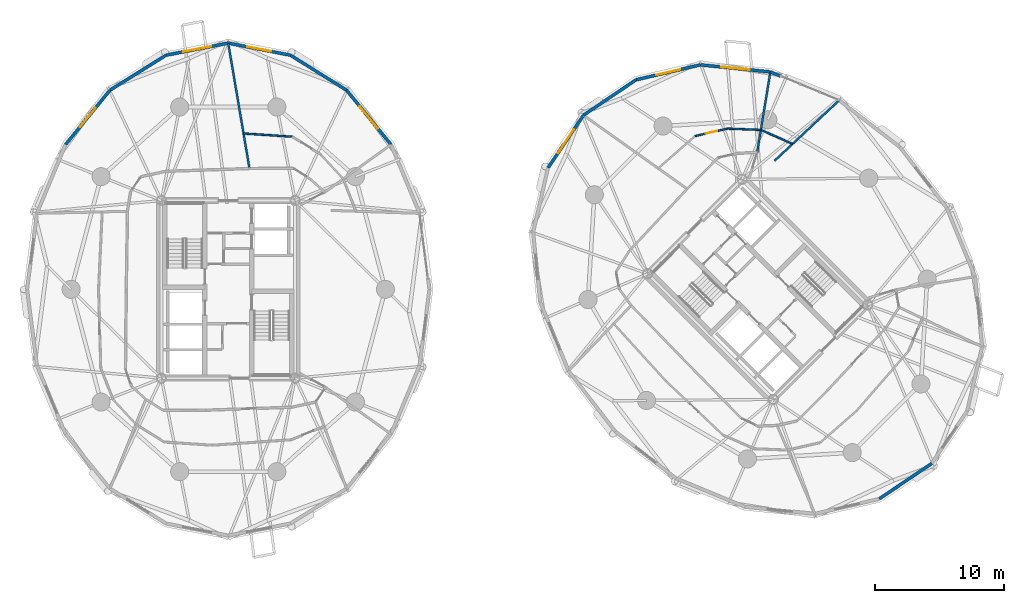
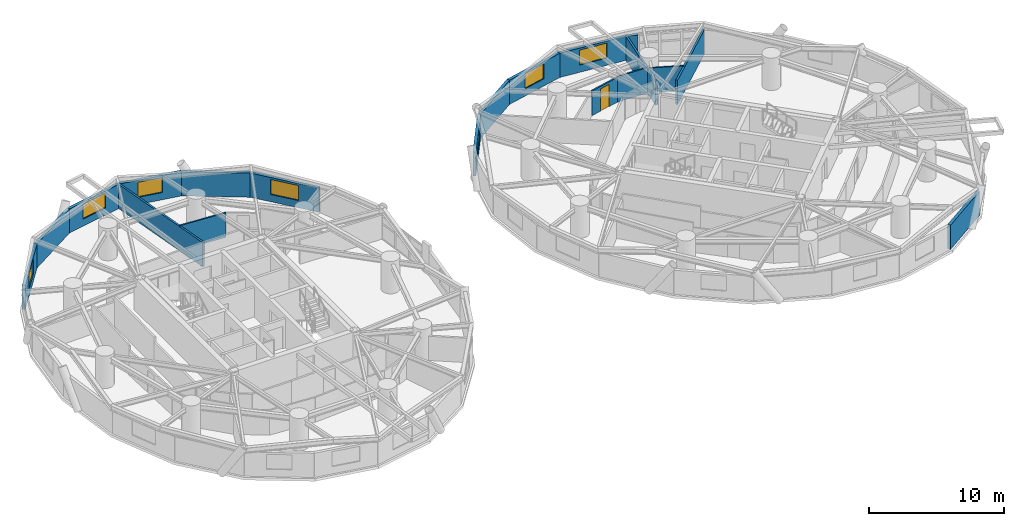
# One storey, part 14 of 17: 19 walls, 7 windows, 1 door, 8 openings.
"""IFC4 building model written with IfcOpenShell, lengths in metres."""

from ifc_helpers import new_model, si_unit, direction, frame, frame_2d, origin, place, context, subcontext, project, spatial, rectangle, extrude, source, transform, mapped, material, layer, layer_set, type_object, element, fill, save


model = new_model("IFC4")

# Units and contexts
model_context = context("Model", 3, precision=1e-05, world=origin(), true_north=direction((0.0, 1.0)))
body_context = subcontext(model_context, "Body", "Model", "MODEL_VIEW")
ifc_project = project(units=[si_unit("LENGTHUNIT", "METRE"), si_unit("AREAUNIT", "SQUARE_METRE"), si_unit("VOLUMEUNIT", "CUBIC_METRE"), si_unit("PLANEANGLEUNIT", "RADIAN"), si_unit("MASSUNIT", "GRAM", prefix="KILO")], contexts=[model_context])

# Site, building, storey
site_placement = place(None, origin())
site = spatial("IfcSite", under=ifc_project, at=site_placement, CompositionType="ELEMENT")
building_placement = place(site_placement, origin())
building = spatial("IfcBuilding", under=site, at=building_placement, Name="Cununo Teusaquillo Station Towers", CompositionType="ELEMENT")
storey_placement = place(building_placement, frame((0.0, 0.0, 107.97998046875)))
storey = spatial("IfcBuildingStorey", under=building, at=storey_placement, Name="L34", CompositionType="ELEMENT", Elevation=107.97998046875)

# Wall, opening, window
ifc_material_1 = material(Name="Precast concrete C40/50", Category="concrete")
ifc_layer_1 = layer(ifc_material_1, 0.239990234375)
ifc_layer_set_1 = layer_set([ifc_layer_1], Name="Precast concrete C40/50")
wall_type_1 = type_object("IfcWallType", Name="WL-EXT-240", PredefinedType="SOLIDWALL", material=ifc_layer_set_1)
wall_1_placement = place(storey_placement, frame((25.658203125, 39.927978515625, 0.0), z_axis=(0.0, 0.0, 1.0), x_axis=(0.632700781152, -0.77439635945, 0.0)))
wall_1 = element("IfcWall", 1, at=wall_1_placement, inside=storey, type_object=wall_type_1, Name="L34 Tower A Exterior Facade Wall C02", PredefinedType="SOLIDWALL", context=body_context, shape_type="SweptSolid", body=[
    extrude(rectangle(XDim=5.447998046875, YDim=0.239990234375, at=frame_2d((2.72412109375, 0.0))), origin(), (0.0, 0.0, 1.0), 2.178955078125),
])
shared_shape_1 = source(origin(), body_context, "Body", "SweptSolid", [
    extrude(rectangle(XDim=2.199951171875, YDim=1.35009765625, at=frame_2d((1.10009765625, 0.675048828125))), frame((0.0, 0.1298828125, 0.0), z_axis=(0.0, -1.0, 0.0), x_axis=(1.0, 0.0, 0.0)), (0.0, 0.0, 1.0), 0.260009765625),
])
opening_1_placement = place(wall_1_placement, frame((1.6240234375, 0.0, 0.64990234375)))
opening_1 = element("IfcOpeningElement", 2, at=opening_1_placement, cuts=wall_1, Name="Opening WN-01", PredefinedType="OPENING", context=body_context, shape_type="MappedRepresentation", body=[
    mapped(shared_shape_1, transform((0.0, 0.0, 0.0), x_axis=(1.0, 0.0, 0.0), y_axis=(0.0, 1.0, 0.0), z_axis=(0.0, 0.0, 1.0), scale=1.0)),
])
ifc_material_2 = material(Name="Ceramic-fritted dark low-E double glazing", Category="glass")
window_type_1 = type_object("IfcWindowType", Name="WIN-FRIT-2200", PartitioningType="DOUBLE_PANEL_VERTICAL", PredefinedType="WINDOW", material=ifc_material_2)
shared_shape_2 = source(origin(), body_context, "Body", "SweptSolid", [
    extrude(rectangle(XDim=2.199951171875, YDim=1.35009765625, at=frame_2d((1.10009765625, 0.675048828125))), frame((0.0, 0.030029296875, 0.0), z_axis=(0.0, -1.0, 0.0), x_axis=(1.0, 0.0, 0.0)), (0.0, 0.0, 1.0), 0.06005859375),
])
window_1_placement = place(opening_1_placement, origin())
window_1 = element("IfcWindow", 3, at=window_1_placement, inside=storey, type_object=window_type_1, Name="L34 Tower A Facade Window C02", OverallHeight=1.35009765625, OverallWidth=2.199951171875, PartitioningType="DOUBLE_PANEL_VERTICAL", PredefinedType="WINDOW", context=body_context, shape_type="MappedRepresentation", body=[
    mapped(shared_shape_2, transform((0.0, 0.0, 0.0), x_axis=(1.0, 0.0, 0.0), y_axis=(0.0, 1.0, 0.0), z_axis=(0.0, 0.0, 1.0), scale=1.0)),
])
fill(opening_1, window_1)

# Wall
wall_2_placement = place(storey_placement, frame((21.314697265625, 42.63671875, 0.0), z_axis=(0.0, 0.0, 1.0), x_axis=(0.848520380187, -0.529162701263, 0.0)))
element("IfcWall", 4, at=wall_2_placement, inside=storey, type_object=wall_type_1, Name="L34 Tower A Exterior Facade Wall C03", PredefinedType="SOLIDWALL", context=body_context, shape_type="SweptSolid", body=[
    extrude(rectangle(XDim=5.118896484375, YDim=0.239990234375, at=frame_2d((2.5595703125, 0.0))), origin(), (0.0, 0.0, 1.0), 2.178955078125),
])

# Wall, opening, window
wall_3_placement = place(storey_placement, frame((16.5, 43.570068359375, 0.0), z_axis=(0.0, 0.0, 1.0), x_axis=(0.981723785992, -0.190311344954, 0.0)))
wall_3 = element("IfcWall", 5, at=wall_3_placement, inside=storey, type_object=wall_type_1, Name="L34 Tower A Exterior Facade Wall C04", PredefinedType="SOLIDWALL", context=body_context, shape_type="SweptSolid", body=[
    extrude(rectangle(XDim=4.904296875, YDim=0.239990234375, at=frame_2d((2.4521484375, 0.0))), origin(), (0.0, 0.0, 1.0), 2.178955078125),
])
shared_shape_3 = source(origin(), body_context, "Body", "SweptSolid", [
    extrude(rectangle(XDim=1.89990234375, YDim=1.35009765625, at=frame_2d((0.949951171875, 0.675048828125))), frame((0.0, 0.1298828125, 0.0), z_axis=(0.0, -1.0, 0.0), x_axis=(1.0, 0.0, 0.0)), (0.0, 0.0, 1.0), 0.260009765625),
])
opening_2_placement = place(wall_3_placement, frame((1.501953125, 0.0, 0.64990234375)))
opening_2 = element("IfcOpeningElement", 6, at=opening_2_placement, cuts=wall_3, Name="Opening WN-02", PredefinedType="OPENING", context=body_context, shape_type="MappedRepresentation", body=[
    mapped(shared_shape_3, transform((0.0, 0.0, 0.0), x_axis=(1.0, 0.0, 0.0), y_axis=(0.0, 1.0, 0.0), z_axis=(0.0, 0.0, 1.0), scale=1.0)),
])
ifc_material_3 = material(Name="Operable acoustic tinted low-E double glazing", Category="glass")
window_type_2 = type_object("IfcWindowType", Name="WIN-OPER-1900", PartitioningType="DOUBLE_PANEL_VERTICAL", PredefinedType="WINDOW", material=ifc_material_3)
shared_shape_4 = source(origin(), body_context, "Body", "SweptSolid", [
    extrude(rectangle(XDim=1.89990234375, YDim=1.35009765625, at=frame_2d((0.949951171875, 0.675048828125))), frame((0.0, 0.030029296875, 0.0), z_axis=(0.0, -1.0, 0.0), x_axis=(1.0, 0.0, 0.0)), (0.0, 0.0, 1.0), 0.06005859375),
])
window_2_placement = place(opening_2_placement, origin())
window_2 = element("IfcWindow", 7, at=window_2_placement, inside=storey, type_object=window_type_2, Name="L34 Tower A Facade Window C04", OverallHeight=1.35009765625, OverallWidth=1.89990234375, PartitioningType="DOUBLE_PANEL_VERTICAL", PredefinedType="WINDOW", context=body_context, shape_type="MappedRepresentation", body=[
    mapped(shared_shape_4, transform((0.0, 0.0, 0.0), x_axis=(1.0, 0.0, 0.0), y_axis=(0.0, 1.0, 0.0), z_axis=(0.0, 0.0, 1.0), scale=1.0)),
])
fill(opening_2, window_2)

wall_4_placement = place(storey_placement, frame((11.685302734375, 42.63671875, 0.0), z_axis=(0.0, 0.0, 1.0), x_axis=(0.981723785992, 0.190311344954, 0.0)))
wall_4 = element("IfcWall", 8, at=wall_4_placement, inside=storey, type_object=wall_type_1, Name="L34 Tower A Exterior Facade Wall C05", PredefinedType="SOLIDWALL", context=body_context, shape_type="SweptSolid", body=[
    extrude(rectangle(XDim=4.904296875, YDim=0.239990234375, at=frame_2d((2.4521484375, 0.0))), origin(), (0.0, 0.0, 1.0), 2.178955078125),
])
opening_3_placement = place(wall_4_placement, frame((1.35205078125, 0.0, 0.64990234375)))
opening_3 = element("IfcOpeningElement", 9, at=opening_3_placement, cuts=wall_4, Name="Opening WN-01", PredefinedType="OPENING", context=body_context, shape_type="MappedRepresentation", body=[
    mapped(shared_shape_1, transform((0.0, 0.0, 0.0), x_axis=(1.0, 0.0, 0.0), y_axis=(0.0, 1.0, 0.0), z_axis=(0.0, 0.0, 1.0), scale=1.0)),
])
window_3_placement = place(opening_3_placement, origin())
window_3 = element("IfcWindow", 10, at=window_3_placement, inside=storey, type_object=window_type_1, Name="L34 Tower A Facade Window C05", OverallHeight=1.35009765625, OverallWidth=2.199951171875, PartitioningType="DOUBLE_PANEL_VERTICAL", PredefinedType="WINDOW", context=body_context, shape_type="MappedRepresentation", body=[
    mapped(shared_shape_2, transform((0.0, 0.0, 0.0), x_axis=(1.0, 0.0, 0.0), y_axis=(0.0, 1.0, 0.0), z_axis=(0.0, 0.0, 1.0), scale=1.0)),
])
fill(opening_3, window_3)

# Wall
wall_5_placement = place(storey_placement, frame((7.341796875, 39.927978515625, 0.0), z_axis=(0.0, 0.0, 1.0), x_axis=(0.848520380187, 0.529162701263, 0.0)))
element("IfcWall", 11, at=wall_5_placement, inside=storey, type_object=wall_type_1, Name="L34 Tower A Exterior Facade Wall C06", PredefinedType="SOLIDWALL", context=body_context, shape_type="SweptSolid", body=[
    extrude(rectangle(XDim=5.118896484375, YDim=0.239990234375, at=frame_2d((2.5595703125, 0.0))), origin(), (0.0, 0.0, 1.0), 2.178955078125),
])

# Wall, opening, window
wall_6_placement = place(storey_placement, frame((3.894775390625, 35.708984375, 0.0), z_axis=(0.0, 0.0, 1.0), x_axis=(0.632700781152, 0.77439635945, 0.0)))
wall_6 = element("IfcWall", 12, at=wall_6_placement, inside=storey, type_object=wall_type_1, Name="L34 Tower A Exterior Facade Wall C07", PredefinedType="SOLIDWALL", context=body_context, shape_type="SweptSolid", body=[
    extrude(rectangle(XDim=5.447998046875, YDim=0.239990234375, at=frame_2d((2.72412109375, 0.0))), origin(), (0.0, 0.0, 1.0), 2.178955078125),
])
opening_4_placement = place(wall_6_placement, frame((1.77392578125, 0.0, 0.64990234375)))
opening_4 = element("IfcOpeningElement", 13, at=opening_4_placement, cuts=wall_6, Name="Opening WN-02", PredefinedType="OPENING", context=body_context, shape_type="MappedRepresentation", body=[
    mapped(shared_shape_3, transform((0.0, 0.0, 0.0), x_axis=(1.0, 0.0, 0.0), y_axis=(0.0, 1.0, 0.0), z_axis=(0.0, 0.0, 1.0), scale=1.0)),
])
window_4_placement = place(opening_4_placement, origin())
window_4 = element("IfcWindow", 14, at=window_4_placement, inside=storey, type_object=window_type_2, Name="L34 Tower A Facade Window C07", OverallHeight=1.35009765625, OverallWidth=1.89990234375, PartitioningType="DOUBLE_PANEL_VERTICAL", PredefinedType="WINDOW", context=body_context, shape_type="MappedRepresentation", body=[
    mapped(shared_shape_4, transform((0.0, 0.0, 0.0), x_axis=(1.0, 0.0, 0.0), y_axis=(0.0, 1.0, 0.0), z_axis=(0.0, 0.0, 1.0), scale=1.0)),
])
fill(opening_4, window_4)

# Wall
wall_7_placement = place(storey_placement, frame((58.4873046875, 41.33935546875, 0.0), z_axis=(0.0, 0.0, 1.0), x_axis=(0.924556017656, -0.381046152345, 0.0)))
element("IfcWall", 15, at=wall_7_placement, inside=storey, type_object=wall_type_1, Name="L34 Tower B Column Pier Cladding Wall C01-PA", PredefinedType="SOLIDWALL", context=body_context, shape_type="SweptSolid", body=[
    extrude(rectangle(XDim=0.8701171875, YDim=0.239990234375, at=frame_2d((0.43505859375, 0.0))), origin(), (0.0, 0.0, 1.0), 2.178955078125),
])

# Wall, opening, window
wall_8_placement = place(storey_placement, frame((53.066650390625, 41.885009765625, 0.0), z_axis=(0.0, 0.0, 1.0), x_axis=(0.994971754311, -0.10015591906, 0.0)))
wall_8 = element("IfcWall", 16, at=wall_8_placement, inside=storey, type_object=wall_type_1, Name="L34 Tower B Exterior Facade Wall C02", PredefinedType="SOLIDWALL", context=body_context, shape_type="SweptSolid", body=[
    extrude(rectangle(XDim=5.447998046875, YDim=0.239990234375, at=frame_2d((2.72412109375, 0.0))), origin(), (0.0, 0.0, 1.0), 2.178955078125),
])
opening_5_placement = place(wall_8_placement, frame((1.6240234375, 0.0, 0.64990234375)))
opening_5 = element("IfcOpeningElement", 17, at=opening_5_placement, cuts=wall_8, Name="Opening WN-01", PredefinedType="OPENING", context=body_context, shape_type="MappedRepresentation", body=[
    mapped(shared_shape_1, transform((0.0, 0.0, 0.0), x_axis=(1.0, 0.0, 0.0), y_axis=(0.0, 1.0, 0.0), z_axis=(0.0, 0.0, 1.0), scale=1.0)),
])
window_5_placement = place(opening_5_placement, origin())
window_5 = element("IfcWindow", 18, at=window_5_placement, inside=storey, type_object=window_type_1, Name="L34 Tower B Facade Window C02", OverallHeight=1.35009765625, OverallWidth=2.199951171875, PartitioningType="DOUBLE_PANEL_VERTICAL", PredefinedType="WINDOW", context=body_context, shape_type="MappedRepresentation", body=[
    mapped(shared_shape_2, transform((0.0, 0.0, 0.0), x_axis=(1.0, 0.0, 0.0), y_axis=(0.0, 1.0, 0.0), z_axis=(0.0, 0.0, 1.0), scale=1.0)),
])
fill(opening_5, window_5)

wall_9_placement = place(storey_placement, frame((48.080078125, 40.72900390625, 0.0), z_axis=(0.0, 0.0, 1.0), x_axis=(0.974165631126, 0.225834725257, 0.0)))
wall_9 = element("IfcWall", 19, at=wall_9_placement, inside=storey, type_object=wall_type_1, Name="L34 Tower B Exterior Facade Wall C03", PredefinedType="SOLIDWALL", context=body_context, shape_type="SweptSolid", body=[
    extrude(rectangle(XDim=5.118896484375, YDim=0.239990234375, at=frame_2d((2.5595703125, 0.0))), origin(), (0.0, 0.0, 1.0), 2.178955078125),
])
opening_6_placement = place(wall_9_placement, frame((1.60888671875, 0.0, 0.64990234375)))
opening_6 = element("IfcOpeningElement", 20, at=opening_6_placement, cuts=wall_9, Name="Opening WN-02", PredefinedType="OPENING", context=body_context, shape_type="MappedRepresentation", body=[
    mapped(shared_shape_3, transform((0.0, 0.0, 0.0), x_axis=(1.0, 0.0, 0.0), y_axis=(0.0, 1.0, 0.0), z_axis=(0.0, 0.0, 1.0), scale=1.0)),
])
window_6_placement = place(opening_6_placement, origin())
window_6 = element("IfcWindow", 21, at=window_6_placement, inside=storey, type_object=window_type_2, Name="L34 Tower B Facade Window C03", OverallHeight=1.35009765625, OverallWidth=1.89990234375, PartitioningType="DOUBLE_PANEL_VERTICAL", PredefinedType="WINDOW", context=body_context, shape_type="MappedRepresentation", body=[
    mapped(shared_shape_4, transform((0.0, 0.0, 0.0), x_axis=(1.0, 0.0, 0.0), y_axis=(0.0, 1.0, 0.0), z_axis=(0.0, 0.0, 1.0), scale=1.0)),
])
fill(opening_6, window_6)

# Wall
wall_10_placement = place(storey_placement, frame((44.015380859375, 37.984619140625, 0.0), z_axis=(0.0, 0.0, 1.0), x_axis=(0.828781148131, 0.559572880421, 0.0)))
element("IfcWall", 22, at=wall_10_placement, inside=storey, type_object=wall_type_1, Name="L34 Tower B Exterior Facade Wall C04", PredefinedType="SOLIDWALL", context=body_context, shape_type="SweptSolid", body=[
    extrude(rectangle(XDim=4.904541015625, YDim=0.239990234375, at=frame_2d((2.4521484375, 0.0))), origin(), (0.0, 0.0, 1.0), 2.178955078125),
])

# Wall, opening, window
wall_11_placement = place(storey_placement, frame((41.27099609375, 33.919921875, 0.0), z_axis=(0.0, 0.0, 1.0), x_axis=(0.559572880421, 0.828781148131, 0.0)))
wall_11 = element("IfcWall", 23, at=wall_11_placement, inside=storey, type_object=wall_type_1, Name="L34 Tower B Exterior Facade Wall C05", PredefinedType="SOLIDWALL", context=body_context, shape_type="SweptSolid", body=[
    extrude(rectangle(XDim=4.904541015625, YDim=0.239990234375, at=frame_2d((2.4521484375, 0.0))), origin(), (0.0, 0.0, 1.0), 2.178955078125),
])
opening_7_placement = place(wall_11_placement, frame((1.35205078125, 0.0, 0.64990234375)))
opening_7 = element("IfcOpeningElement", 24, at=opening_7_placement, cuts=wall_11, Name="Opening WN-01", PredefinedType="OPENING", context=body_context, shape_type="MappedRepresentation", body=[
    mapped(shared_shape_1, transform((0.0, 0.0, 0.0), x_axis=(1.0, 0.0, 0.0), y_axis=(0.0, 1.0, 0.0), z_axis=(0.0, 0.0, 1.0), scale=1.0)),
])
window_7_placement = place(opening_7_placement, origin())
window_7 = element("IfcWindow", 25, at=window_7_placement, inside=storey, type_object=window_type_1, Name="L34 Tower B Facade Window C05", OverallHeight=1.35009765625, OverallWidth=2.199951171875, PartitioningType="DOUBLE_PANEL_VERTICAL", PredefinedType="WINDOW", context=body_context, shape_type="MappedRepresentation", body=[
    mapped(shared_shape_2, transform((0.0, 0.0, 0.0), x_axis=(1.0, 0.0, 0.0), y_axis=(0.0, 1.0, 0.0), z_axis=(0.0, 0.0, 1.0), scale=1.0)),
])
fill(opening_7, window_7)

# Walls
wall_12_placement = place(storey_placement, frame((70.984619140625, 11.015380859375, 0.0), z_axis=(0.0, 0.0, 1.0), x_axis=(-0.828781148131, -0.559572880421, 0.0)))
element("IfcWall", 26, at=wall_12_placement, inside=storey, type_object=wall_type_1, Name="L34 Tower B Exterior Facade Wall C14", PredefinedType="SOLIDWALL", context=body_context, shape_type="SweptSolid", body=[
    extrude(rectangle(XDim=4.904541015625, YDim=0.239990234375, at=frame_2d((2.4521484375, 0.0))), origin(), (0.0, 0.0, 1.0), 2.178955078125),
])
ifc_material_4 = material(Name="Fire-rated gypsum plasterboard partition assembly", Category="gypsum")
ifc_layer_2 = layer(ifc_material_4, 0.125)
ifc_layer_set_2 = layer_set([ifc_layer_2], Name="Fire-rated gypsum plasterboard partition assembly")
wall_type_2 = type_object("IfcWallType", Name="WL-PART-125", PredefinedType="PARTITIONING", material=ifc_layer_set_2)
wall_13_placement = place(storey_placement, frame((21.4658203125, 36.32177734375, 0.0), z_axis=(0.0, 0.0, 1.0), x_axis=(-0.997806476515, 0.066198454847, 0.0)))
element("IfcWall", 27, at=wall_13_placement, inside=storey, type_object=wall_type_2, Name="L34 Tower A Consular Reception Salon Concentric Partition Wall C04", PredefinedType="PARTITIONING", context=body_context, shape_type="SweptSolid", body=[
    extrude(rectangle(XDim=3.791259765625, YDim=0.125, at=frame_2d((1.8955078125, 0.0))), origin(), (0.0, 0.0, 1.0), 2.22509765625),
])
wall_14_placement = place(storey_placement, frame((60.208984375, 35.765625, 0.0), z_axis=(0.0, 0.0, 1.0), x_axis=(-0.914932611268, 0.403606636267, 0.0)))
element("IfcWall", 28, at=wall_14_placement, inside=storey, type_object=wall_type_2, Name="L34 Tower B Consular Reception Salon Concentric Partition Wall C01", PredefinedType="PARTITIONING", context=body_context, shape_type="SweptSolid", body=[
    extrude(rectangle(XDim=2.685791015625, YDim=0.125, at=frame_2d((1.3427734375, 0.0))), origin(), (0.0, 0.0, 1.0), 2.22509765625),
])
wall_15_placement = place(storey_placement, frame((57.751708984375, 36.849609375, 0.0), z_axis=(0.0, 0.0, 1.0), x_axis=(-0.999279468675, 0.037954492291, 0.0)))
element("IfcWall", 29, at=wall_15_placement, inside=storey, type_object=wall_type_2, Name="L34 Tower B Consular Reception Salon Concentric Partition Wall C02", PredefinedType="PARTITIONING", context=body_context, shape_type="SweptSolid", body=[
    extrude(rectangle(XDim=2.5859375, YDim=0.125, at=frame_2d((1.29296875, 0.0))), origin(), (0.0, 0.0, 1.0), 2.2919921875),
])

# Wall, opening, door
wall_16_placement = place(storey_placement, frame((55.167724609375, 36.94775390625, 0.0), z_axis=(0.0, 0.0, 1.0), x_axis=(-0.974677367116, -0.223615808993, 0.0)))
wall_16 = element("IfcWall", 30, at=wall_16_placement, inside=storey, type_object=wall_type_2, Name="L34 Tower B Consular Reception Salon Concentric Partition Wall C03", PredefinedType="PARTITIONING", context=body_context, shape_type="SweptSolid", body=[
    extrude(rectangle(XDim=2.5810546875, YDim=0.125, at=frame_2d((1.29052734375, 0.0))), origin(), (0.0, 0.0, 1.0), 2.22509765625),
])
shared_shape_5 = source(origin(), body_context, "Body", "SweptSolid", [
    extrude(rectangle(XDim=0.89990234375, YDim=2.0048828125, at=frame_2d((0.449951171875, 1.00244140625))), frame((0.0, 0.072509765625, 0.0), z_axis=(0.0, -1.0, 0.0), x_axis=(1.0, 0.0, 0.0)), (0.0, 0.0, 1.0), 0.14501953125),
])
opening_8_placement = place(wall_16_placement, frame((0.840576171875, 0.0, 0.0)))
opening_8 = element("IfcOpeningElement", 31, at=opening_8_placement, cuts=wall_16, Name="Opening D-IN1", PredefinedType="OPENING", context=body_context, shape_type="MappedRepresentation", body=[
    mapped(shared_shape_5, transform((0.0, 0.0, 0.0), x_axis=(1.0, 0.0, 0.0), y_axis=(0.0, 1.0, 0.0), z_axis=(0.0, 0.0, 1.0), scale=1.0)),
])
ifc_material_5 = material(Name="Acoustic solid-core hardwood leaf assembly", Category="wood")
door_type = type_object("IfcDoorType", Name="DR-INT-900", OperationType="NOTDEFINED", PredefinedType="DOOR", material=ifc_material_5)
shared_shape_6 = source(origin(), body_context, "Body", "SweptSolid", [
    extrude(rectangle(XDim=0.89990234375, YDim=2.0048828125, at=frame_2d((0.449951171875, 1.00244140625))), frame((0.0, 0.02490234375, 0.0), z_axis=(0.0, -1.0, 0.0), x_axis=(1.0, 0.0, 0.0)), (0.0, 0.0, 1.0), 0.050048828125),
])
door_placement = place(opening_8_placement, origin())
door = element("IfcDoor", 32, at=door_placement, inside=storey, type_object=door_type, Name="L34 Tower B Consular Reception Salon Connecting Door", OperationType="SINGLE_SWING_LEFT", OverallHeight=2.0048828125, OverallWidth=0.89990234375, PredefinedType="DOOR", context=body_context, shape_type="MappedRepresentation", body=[
    mapped(shared_shape_6, transform((0.0, 0.0, 0.0), x_axis=(1.0, 0.0, 0.0), y_axis=(0.0, 1.0, 0.0), z_axis=(0.0, 0.0, 1.0), scale=1.0)),
])
fill(opening_8, door)

# Walls
ifc_material_6 = material(Name="Fire-rated gypsum plasterboard partition assembly", Category="gypsum")
ifc_layer_3 = layer(ifc_material_6, 0.159912109375)
ifc_layer_set_3 = layer_set([ifc_layer_3], Name="Fire-rated gypsum plasterboard partition assembly")
wall_type_3 = type_object("IfcWallType", Name="WL-PART-160", PredefinedType="PARTITIONING", material=ifc_layer_set_3)
wall_17_placement = place(storey_placement, frame((18.142822265625, 33.859619140625, 0.0), z_axis=(0.0, 0.0, 1.0), x_axis=(-0.167145472003, 0.985932244725, 0.0)))
element("IfcWall", 33, at=wall_17_placement, inside=storey, type_object=wall_type_3, Name="L34 Tower A Radial Suite Partition R03", PredefinedType="PARTITIONING", context=body_context, shape_type="SweptSolid", body=[
    extrude(rectangle(XDim=9.82861328125, YDim=0.159912109375, at=frame_2d((4.914306640625, 0.0))), origin(), (0.0, 0.0, 1.0), 2.178955078125),
])
wall_18_placement = place(storey_placement, frame((58.811767578125, 34.458251953125, 0.0), z_axis=(0.0, 0.0, 1.0), x_axis=(0.73022196979, 0.683209978584, 0.0)))
element("IfcWall", 34, at=wall_18_placement, inside=storey, type_object=wall_type_3, Name="L34 Tower B Radial Suite Partition R01", PredefinedType="PARTITIONING", context=body_context, shape_type="SweptSolid", body=[
    extrude(rectangle(XDim=6.834228515625, YDim=0.159912109375, at=frame_2d((3.4169921875, 0.0))), origin(), (0.0, 0.0, 1.0), 2.178955078125),
])
wall_19_placement = place(storey_placement, frame((57.466796875, 35.111328125, 0.0), z_axis=(0.0, 0.0, 1.0), x_axis=(0.161711214096, 0.98683812413, 0.0)))
element("IfcWall", 35, at=wall_19_placement, inside=storey, type_object=wall_type_3, Name="L34 Tower B Radial Suite Partition R02", PredefinedType="PARTITIONING", context=body_context, shape_type="SweptSolid", body=[
    extrude(rectangle(XDim=6.291015625, YDim=0.159912109375, at=frame_2d((3.1455078125, 0.0))), origin(), (0.0, 0.0, 1.0), 2.178955078125),
])

save(model, "model.ifc")
